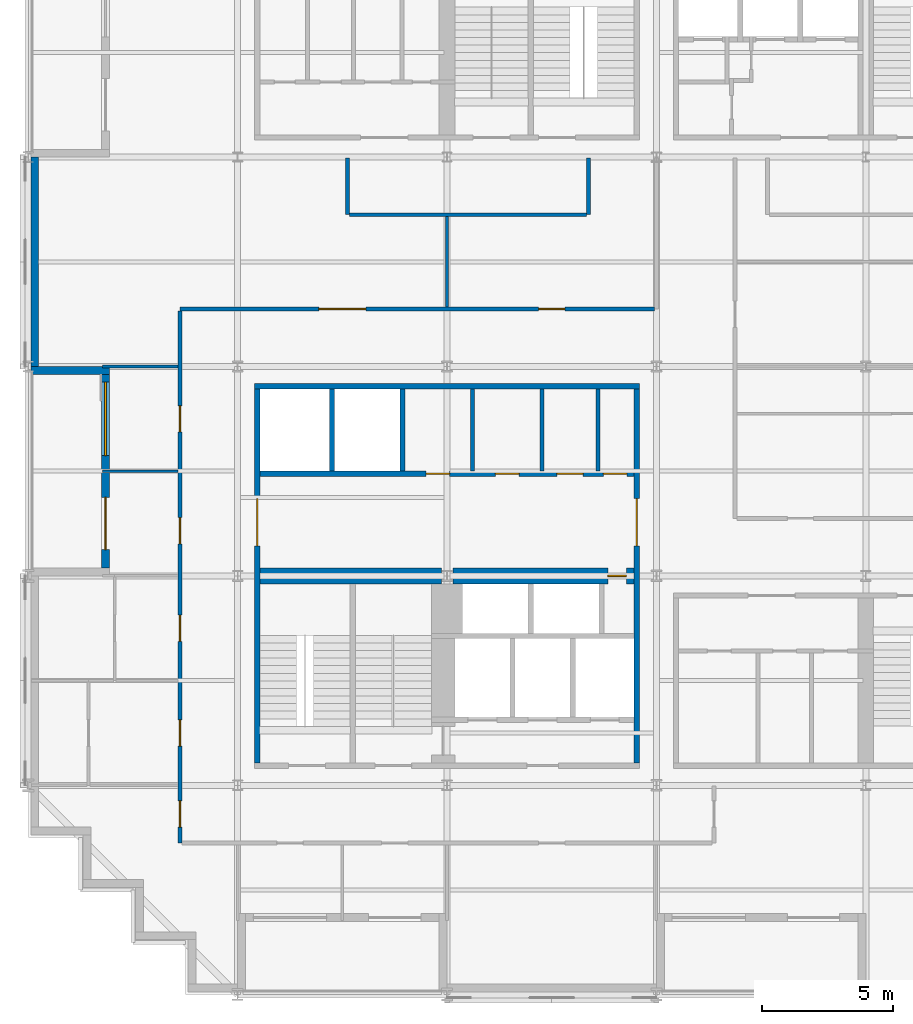
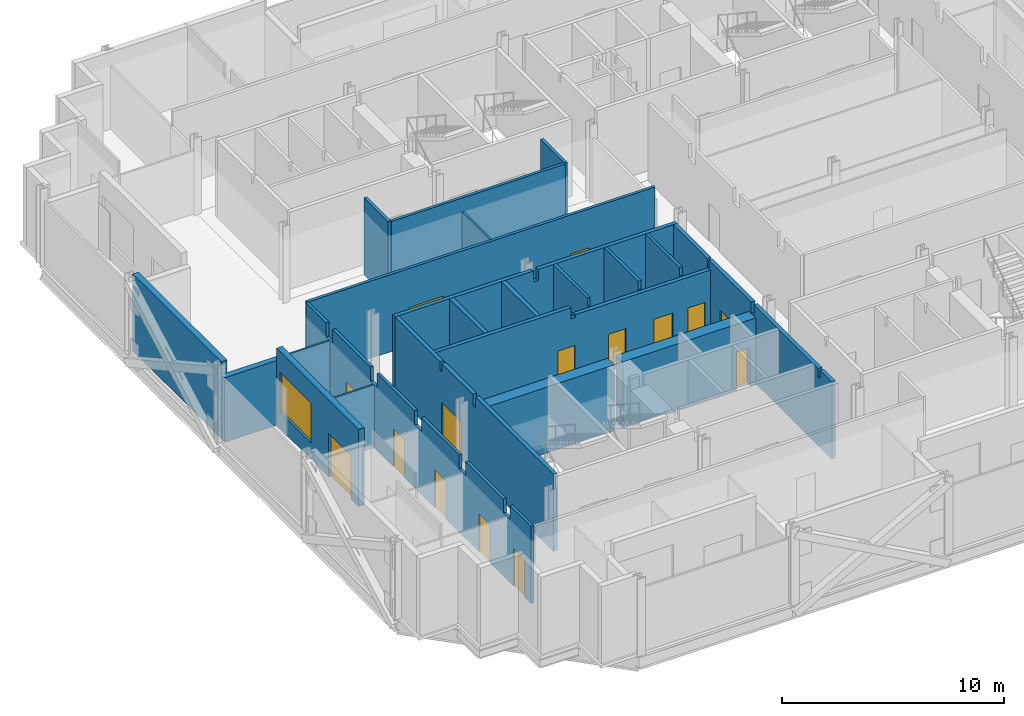
# One storey, part 7 of 14: 22 walls, 15 doors, 1 window, 16 openings.
"""IFC4 building model written with IfcOpenShell, lengths in metres."""

from ifc_helpers import new_model, si_unit, direction, frame, frame_2d, origin, place, context, subcontext, project, spatial, polyline, rectangle, outline, extrude, material, layer, layer_set, type_object, element, fill, save


model = new_model("IFC4")

# Units and contexts
model_context = context("Model", 3, precision=1e-05, world=origin(), true_north=direction((0.0, 1.0)))
body_context = subcontext(model_context, "Body", "Model", "MODEL_VIEW")
ifc_project = project(units=[si_unit("LENGTHUNIT", "METRE"), si_unit("AREAUNIT", "SQUARE_METRE"), si_unit("VOLUMEUNIT", "CUBIC_METRE"), si_unit("PLANEANGLEUNIT", "RADIAN"), si_unit("MASSUNIT", "GRAM", prefix="KILO")], contexts=[model_context])

# Site, building, storey
site_placement = place(None, origin())
site = spatial("IfcSite", under=ifc_project, at=site_placement, CompositionType="ELEMENT")
building_placement = place(site_placement, origin())
building = spatial("IfcBuilding", under=site, at=building_placement, Name="Immortelle Media Tower", CompositionType="ELEMENT")
storey_placement = place(building_placement, frame((0.0, 0.0, 96.39990234375)))
storey = spatial("IfcBuildingStorey", under=building, at=storey_placement, Name="L18", CompositionType="ELEMENT", Elevation=96.39990234375)

# Wall, opening, door
ifc_material_1 = material(Name="Fire-rated masonry blockwork", Category="masonry")
ifc_layer_1 = layer(ifc_material_1, 0.60009765625)
ifc_layer_set_1 = layer_set([ifc_layer_1], Name="Fire-rated masonry blockwork")
wall_type_1 = type_object("IfcWallType", Name="Core grid-line wall 600", PredefinedType="PARTITIONING", material=ifc_layer_set_1)
wall_1_placement = place(storey_placement, frame((16.218505859375, 16.0, 0.0), z_axis=(0.0, 0.0, 1.0), x_axis=(1.0, 0.0, 0.0)))
wall_1 = element("IfcWall", 1, at=wall_1_placement, inside=storey, type_object=wall_type_1, Name="Core grid-line wall SW", PredefinedType="PARTITIONING", context=body_context, shape_type="SweptSolid", body=[
    extrude(rectangle(XDim=6.931396484375, YDim=0.60009765625, at=frame_2d((3.4658203125, 0.0))), origin(), (0.0, 0.0, 1.0), 3.632080078125),
])
opening_1_placement = place(wall_1_placement, frame((6.63134765625, 0.0, 0.0), z_axis=(0.0, 0.0, 1.0), x_axis=(-1.0, 0.0, 0.0)))
opening_1 = element("IfcOpeningElement", 2, at=opening_1_placement, cuts=wall_1, Name="Opening N6-K013", PredefinedType="OPENING", context=body_context, shape_type="SweptSolid", body=[
    extrude(rectangle(XDim=0.699951171875, YDim=2.10009765625, at=frame_2d((0.35009765625, 1.050048828125))), frame((0.0, 0.31005859375, 0.0), z_axis=(0.0, -1.0, 0.0), x_axis=(1.0, 0.0, 0.0)), (0.0, 0.0, 1.0), 0.6201171875),
])
ifc_material_2 = material(Name="Galvanised steel door leaf and frame ASTM A653", Category="steel")
door_type_1 = type_object("IfcDoorType", Name="Service door 700 x 2100", OperationType="NOTDEFINED", PredefinedType="NOTDEFINED", material=ifc_material_2)
door_1_placement = place(opening_1_placement, origin())
door_1 = element("IfcDoor", 3, at=door_1_placement, inside=storey, type_object=door_type_1, Name="Service N6-K013", OperationType="SINGLE_SWING_RIGHT", OverallHeight=2.10009765625, OverallWidth=0.699951171875, PredefinedType="NOTDEFINED", context=body_context, shape_type="SweptSolid", body=[
    extrude(rectangle(XDim=0.699951171875, YDim=2.10009765625, at=frame_2d((0.35009765625, 1.050048828125))), frame((0.0, 0.02490234375, 0.0), z_axis=(0.0, -1.0, 0.0), x_axis=(1.0, 0.0, 0.0)), (0.0, 0.0, 1.0), 0.050048828125),
])
fill(opening_1, door_1)

# Walls
ifc_material_3 = material(Name="Fire-rated gypsum board", Category="gypsum")
ifc_layer_2 = layer(ifc_material_3, 0.02490234375)
ifc_material_4 = material(Name="Steel ASTM A653 SS Gr 50 stud frame with mineral wool", Category="steel")
ifc_layer_3 = layer(ifc_material_4, 0.10009765625)
ifc_layer_4 = layer(ifc_material_3, 0.02490234375)
ifc_layer_set_2 = layer_set([ifc_layer_2, ifc_layer_3, ifc_layer_4], Name="Steel ASTM A653 SS Gr 50 stud frame with mineral wool")
wall_type_2 = type_object("IfcWallType", Name="Core partition 150", PredefinedType="PARTITIONING", material=ifc_layer_set_2)
for number, where, z_axis, x_axis, name in (
    (4, (16.97509765625, 20.0, 0.0), (0.0, 0.0, 1.0), (0.0, 1.0, 0.0), "Core partition SW"),
    (5, (19.625, 20.0, 0.0), (0.0, 0.0, 1.0), (0.0, 1.0, 0.0), "Core partition SW"),
    (6, (21.77490234375, 20.0, 0.0), (0.0, 0.0, 1.0), (0.0, 1.0, 0.0), "Core partition SW"),
):
    element("IfcWall", number, at=place(storey_placement, frame(where, z_axis=z_axis, x_axis=x_axis)), inside=storey, type_object=wall_type_2, Name=name, PredefinedType="PARTITIONING", context=body_context, shape_type="SweptSolid", body=[
        extrude(outline(polyline([(0.0, 0.0), (3.14990234375, 0.0), (3.14990234375, 4.25), (0.08154296875, 4.25), (0.08056640625, 3.7890625), (0.0, 3.7890625), (0.0, 0.0)])), frame((0.0, 0.074951171875, 0.0), z_axis=(0.0, -1.0, 0.0), x_axis=(1.0, 0.0, 0.0)), (0.0, 0.0, 1.0), 0.14990234375),
    ])
ifc_layer_5 = layer(ifc_material_3, 0.03759765625)
ifc_layer_6 = layer(ifc_material_4, 0.125)
ifc_layer_7 = layer(ifc_material_3, 0.03759765625)
ifc_layer_set_3 = layer_set([ifc_layer_5, ifc_layer_6, ifc_layer_7], Name="Steel ASTM A653 SS Gr 50 stud frame with mineral wool")
wall_type_3 = type_object("IfcWallType", Name="Core shaft wall 200", PredefinedType="PARTITIONING", material=ifc_layer_set_3)
wall_2_placement = place(storey_placement, frame((8.64990234375, 23.25, 0.0), z_axis=(0.0, 0.0, 1.0), x_axis=(1.0, 0.0, 0.0)))
element("IfcWall", 7, at=wall_2_placement, inside=storey, type_object=wall_type_3, Name="Core shaft wall SW", PredefinedType="PARTITIONING", context=body_context, shape_type="SweptSolid", body=[
    extrude(outline(polyline([(0.0, 0.0), (14.7001953125, 0.0), (14.699951171875, 4.25), (7.469482421875, 4.25), (7.468505859375, 3.632080078125), (7.2314453125, 3.632080078125), (7.23046875, 4.25), (0.0, 4.25), (0.0, 0.0)])), frame((0.0, 0.10009765625, 0.0), z_axis=(0.0, -1.0, 0.0), x_axis=(1.0, 0.0, 0.0)), (0.0, 0.0, 1.0), 0.199951171875),
])

# Wall, openings, doors
wall_3_placement = place(storey_placement, frame((8.85009765625, 19.89990234375, 0.0), z_axis=(0.0, 0.0, 1.0), x_axis=(1.0, 0.0, 0.0)))
wall_3 = element("IfcWall", 8, at=wall_3_placement, inside=storey, type_object=wall_type_3, Name="Core shaft wall SW", PredefinedType="PARTITIONING", context=body_context, shape_type="SweptSolid", body=[
    extrude(outline(polyline([(0.0, 0.0), (14.2998046875, 0.0), (14.300048828125, 3.7890625), (7.26953125, 3.7890625), (7.2685546875, 3.632080078125), (7.031494140625, 3.632080078125), (7.030517578125, 4.25), (0.0, 4.25), (0.0, 0.0)])), frame((0.0, 0.10009765625, 0.0), z_axis=(0.0, -1.0, 0.0), x_axis=(1.0, 0.0, 0.0)), (0.0, 0.0, 1.0), 0.199951171875),
])
opening_2_placement = place(wall_3_placement, frame((6.35009765625, 0.0, 0.0)))
opening_2 = element("IfcOpeningElement", 9, at=opening_2_placement, cuts=wall_3, Name="Opening N6-K004", PredefinedType="OPENING", context=body_context, shape_type="SweptSolid", body=[
    extrude(rectangle(XDim=0.89990234375, YDim=2.10009765625, at=frame_2d((0.449951171875, 1.050048828125))), frame((0.0, 0.10986328125, 0.0), z_axis=(0.0, -1.0, 0.0), x_axis=(1.0, 0.0, 0.0)), (0.0, 0.0, 1.0), 0.219970703125),
])
opening_3_placement = place(wall_3_placement, frame((9.0, 0.0, 0.0)))
opening_3 = element("IfcOpeningElement", 10, at=opening_3_placement, cuts=wall_3, Name="Opening N6-K007", PredefinedType="OPENING", context=body_context, shape_type="SweptSolid", body=[
    extrude(rectangle(XDim=0.89990234375, YDim=2.10009765625, at=frame_2d((0.449951171875, 1.050048828125))), frame((0.0, 0.10986328125, 0.0), z_axis=(0.0, -1.0, 0.0), x_axis=(1.0, 0.0, 0.0)), (0.0, 0.0, 1.0), 0.219970703125),
])
opening_4_placement = place(wall_3_placement, frame((11.35009765625, 0.0, 0.0)))
opening_4 = element("IfcOpeningElement", 11, at=opening_4_placement, cuts=wall_3, Name="Opening N6-K010", PredefinedType="OPENING", context=body_context, shape_type="SweptSolid", body=[
    extrude(rectangle(XDim=1.0, YDim=2.10009765625, at=frame_2d((0.5, 1.050048828125))), frame((0.0, 0.10986328125, 0.0), z_axis=(0.0, -1.0, 0.0), x_axis=(1.0, 0.0, 0.0)), (0.0, 0.0, 1.0), 0.219970703125),
])
opening_5_placement = place(wall_3_placement, frame((13.125, 0.0, 0.0)))
opening_5 = element("IfcOpeningElement", 12, at=opening_5_placement, cuts=wall_3, Name="Opening N6-K012", PredefinedType="OPENING", context=body_context, shape_type="SweptSolid", body=[
    extrude(rectangle(XDim=0.89990234375, YDim=2.10009765625, at=frame_2d((0.449951171875, 1.050048828125))), frame((0.0, 0.10986328125, 0.0), z_axis=(0.0, -1.0, 0.0), x_axis=(1.0, 0.0, 0.0)), (0.0, 0.0, 1.0), 0.219970703125),
])
ifc_material_5 = material(Name="Timber", Category="wood")
door_type_2 = type_object("IfcDoorType", Name="Accessible toilet door 1000 x 2100", OperationType="NOTDEFINED", PredefinedType="NOTDEFINED", material=ifc_material_5)
door_2_placement = place(opening_4_placement, origin())
door_2 = element("IfcDoor", 13, at=door_2_placement, inside=storey, type_object=door_type_2, Name="Accessible toilet N6-K010", OperationType="SINGLE_SWING_LEFT", OverallHeight=2.10009765625, OverallWidth=1.0, PredefinedType="NOTDEFINED", context=body_context, shape_type="SweptSolid", body=[
    extrude(rectangle(XDim=1.0, YDim=2.10009765625, at=frame_2d((0.5, 1.050048828125))), frame((0.0, 0.02490234375, 0.0), z_axis=(0.0, -1.0, 0.0), x_axis=(1.0, 0.0, 0.0)), (0.0, 0.0, 1.0), 0.050048828125),
])
fill(opening_4, door_2)
door_type_3 = type_object("IfcDoorType", Name="Service door 900 x 2100", OperationType="NOTDEFINED", PredefinedType="NOTDEFINED", material=ifc_material_2)
door_3_placement = place(opening_5_placement, origin())
door_3 = element("IfcDoor", 14, at=door_3_placement, inside=storey, type_object=door_type_3, Name="Service N6-K012", OperationType="SINGLE_SWING_LEFT", OverallHeight=2.10009765625, OverallWidth=0.89990234375, PredefinedType="NOTDEFINED", context=body_context, shape_type="SweptSolid", body=[
    extrude(rectangle(XDim=0.89990234375, YDim=2.10009765625, at=frame_2d((0.449951171875, 1.050048828125))), frame((0.0, 0.02490234375, 0.0), z_axis=(0.0, -1.0, 0.0), x_axis=(1.0, 0.0, 0.0)), (0.0, 0.0, 1.0), 0.050048828125),
])
fill(opening_5, door_3)
door_type_4 = type_object("IfcDoorType", Name="Toilet door 900 x 2100", OperationType="NOTDEFINED", PredefinedType="NOTDEFINED", material=ifc_material_5)
door_4_placement = place(opening_2_placement, origin())
door_4 = element("IfcDoor", 15, at=door_4_placement, inside=storey, type_object=door_type_4, Name="Toilet N6-K004", OperationType="SINGLE_SWING_LEFT", OverallHeight=2.10009765625, OverallWidth=0.89990234375, PredefinedType="NOTDEFINED", context=body_context, shape_type="SweptSolid", body=[
    extrude(rectangle(XDim=0.89990234375, YDim=2.10009765625, at=frame_2d((0.449951171875, 1.050048828125))), frame((0.0, 0.02490234375, 0.0), z_axis=(0.0, -1.0, 0.0), x_axis=(1.0, 0.0, 0.0)), (0.0, 0.0, 1.0), 0.050048828125),
])
fill(opening_2, door_4)
door_5_placement = place(opening_3_placement, origin())
door_5 = element("IfcDoor", 16, at=door_5_placement, inside=storey, type_object=door_type_4, Name="Toilet N6-K007", OperationType="SINGLE_SWING_RIGHT", OverallHeight=2.10009765625, OverallWidth=0.89990234375, PredefinedType="NOTDEFINED", context=body_context, shape_type="SweptSolid", body=[
    extrude(rectangle(XDim=0.89990234375, YDim=2.10009765625, at=frame_2d((0.449951171875, 1.050048828125))), frame((0.0, 0.02490234375, 0.0), z_axis=(0.0, -1.0, 0.0), x_axis=(1.0, 0.0, 0.0)), (0.0, 0.0, 1.0), 0.050048828125),
])
fill(opening_3, door_5)

# Walls
for number, where, z_axis, x_axis, name in (
    (17, (11.60009765625, 20.0, 0.0), (0.0, 0.0, 1.0), (0.0, 1.0, 0.0), "Core shaft wall SW"),
    (18, (14.300048828125, 20.0, 0.0), (0.0, 0.0, 1.0), (0.0, 1.0, 0.0), "Core shaft wall SW"),
):
    element("IfcWall", number, at=place(storey_placement, frame(where, z_axis=z_axis, x_axis=x_axis)), inside=storey, type_object=wall_type_3, Name=name, PredefinedType="PARTITIONING", context=body_context, shape_type="SweptSolid", body=[
        extrude(rectangle(XDim=3.14990234375, YDim=0.199951171875, at=frame_2d((1.574951171875, 0.0))), origin(), (0.0, 0.0, 1.0), 4.25),
    ])

# Wall, opening, door
wall_4_placement = place(storey_placement, frame((23.25, 8.85009765625, 0.0), z_axis=(0.0, 0.0, 1.0), x_axis=(0.0, 1.0, 0.0)))
wall_4 = element("IfcWall", 19, at=wall_4_placement, inside=storey, type_object=wall_type_3, Name="Core shaft wall SW", PredefinedType="PARTITIONING", context=body_context, shape_type="SweptSolid", body=[
    extrude(outline(polyline([(0.0, 0.0), (14.2998046875, 0.0), (14.300048828125, 4.25), (11.2314453125, 4.25), (11.23046875, 3.7890625), (11.069580078125, 3.7890625), (11.068603515625, 4.25), (7.26953125, 4.25), (7.2685546875, 3.632080078125), (7.031494140625, 3.632080078125), (7.030517578125, 4.25), (1.2314453125, 4.25), (1.23046875, 3.7890625), (1.069580078125, 3.7890625), (1.068603515625, 4.25), (0.0, 4.25), (0.0, 0.0)])), frame((0.0, 0.10009765625, 0.0), z_axis=(0.0, -1.0, 0.0), x_axis=(1.0, 0.0, 0.0)), (0.0, 0.0, 1.0), 0.199951171875),
])
opening_6_placement = place(wall_4_placement, frame((8.300048828125, 0.0, 0.0)))
opening_6 = element("IfcOpeningElement", 20, at=opening_6_placement, cuts=wall_4, Name="Opening N6-K014", PredefinedType="OPENING", context=body_context, shape_type="SweptSolid", body=[
    extrude(rectangle(XDim=1.800048828125, YDim=2.10009765625, at=frame_2d((0.89990234375, 1.050048828125))), frame((0.0, 0.10986328125, 0.0), z_axis=(0.0, -1.0, 0.0), x_axis=(1.0, 0.0, 0.0)), (0.0, 0.0, 1.0), 0.219970703125),
])
door_type_5 = type_object("IfcDoorType", Name="Lift lobby door 1800 x 2100", OperationType="DOUBLE_DOOR_SINGLE_SWING", PredefinedType="NOTDEFINED", material=ifc_material_2)
door_6_placement = place(opening_6_placement, origin())
door_6 = element("IfcDoor", 21, at=door_6_placement, inside=storey, type_object=door_type_5, Name="Lift lobby N6-K014", OperationType="DOUBLE_DOOR_SINGLE_SWING", OverallHeight=2.10009765625, OverallWidth=1.800048828125, PredefinedType="NOTDEFINED", context=body_context, shape_type="SweptSolid", body=[
    extrude(rectangle(XDim=1.800048828125, YDim=2.10009765625, at=frame_2d((0.89990234375, 1.050048828125))), frame((0.0, 0.02490234375, 0.0), z_axis=(0.0, -1.0, 0.0), x_axis=(1.0, 0.0, 0.0)), (0.0, 0.0, 1.0), 0.050048828125),
])
fill(opening_6, door_6)

# Wall, openings, doors
ifc_layer_8 = layer(ifc_material_3, 0.012451171875)
ifc_layer_9 = layer(ifc_material_4, 0.125)
ifc_layer_10 = layer(ifc_material_3, 0.012451171875)
ifc_layer_set_4 = layer_set([ifc_layer_8, ifc_layer_9, ifc_layer_10], Name="Steel ASTM A653 SS Gr 50 stud frame with mineral wool")
wall_type_4 = type_object("IfcWallType", Name="Corridor wall 150", PredefinedType="PARTITIONING", material=ifc_layer_set_4)
wall_5_placement = place(storey_placement, frame((5.800048828125, 5.800048828125, 0.0), z_axis=(0.0, 0.0, 1.0), x_axis=(0.0, 1.0, 0.0)))
wall_5 = element("IfcWall", 22, at=wall_5_placement, inside=storey, type_object=wall_type_4, Name="Partition L18-006", PredefinedType="PARTITIONING", context=body_context, shape_type="SweptSolid", body=[
    extrude(outline(polyline([(0.0, 0.0), (20.324951171875, 0.0), (20.324951171875, 4.25), (18.5, 4.25), (18.498046875, 3.47021484375), (17.902099609375, 3.47021484375), (17.89990234375, 4.25), (14.5, 4.25), (14.498046875, 3.47021484375), (13.902099609375, 3.47021484375), (13.89990234375, 4.25), (10.5, 4.25), (10.498046875, 3.47021484375), (9.902099609375, 3.47021484375), (9.89990234375, 4.25), (6.5, 4.25), (6.498046875, 3.47021484375), (5.902099609375, 3.47021484375), (5.89990234375, 4.25), (2.5, 4.25), (2.498046875, 3.47021484375), (1.902099609375, 3.47021484375), (1.89990234375, 4.25), (0.0, 4.25), (0.0, 0.0)])), frame((0.0, 0.074951171875, 0.0), z_axis=(0.0, -1.0, 0.0), x_axis=(1.0, 0.0, 0.0)), (0.0, 0.0, 1.0), 0.14990234375),
])
opening_7_placement = place(wall_5_placement, frame((0.60009765625, 0.0, 0.0)))
opening_7 = element("IfcOpeningElement", 23, at=opening_7_placement, cuts=wall_5, Name="Opening N6-F005", PredefinedType="OPENING", context=body_context, shape_type="SweptSolid", body=[
    extrude(rectangle(XDim=1.0, YDim=2.10009765625, at=frame_2d((0.5, 1.050048828125))), frame((0.0, 0.0849609375, 0.0), z_axis=(0.0, -1.0, 0.0), x_axis=(1.0, 0.0, 0.0)), (0.0, 0.0, 1.0), 0.169921875),
])
opening_8_placement = place(wall_5_placement, frame((3.699951171875, 0.0, 0.0)))
opening_8 = element("IfcOpeningElement", 24, at=opening_8_placement, cuts=wall_5, Name="Opening N6-F006", PredefinedType="OPENING", context=body_context, shape_type="SweptSolid", body=[
    extrude(rectangle(XDim=1.0, YDim=2.10009765625, at=frame_2d((0.5, 1.050048828125))), frame((0.0, 0.0849609375, 0.0), z_axis=(0.0, -1.0, 0.0), x_axis=(1.0, 0.0, 0.0)), (0.0, 0.0, 1.0), 0.169921875),
])
opening_9_placement = place(wall_5_placement, frame((7.699951171875, 0.0, 0.0)))
opening_9 = element("IfcOpeningElement", 25, at=opening_9_placement, cuts=wall_5, Name="Opening N6-F008", PredefinedType="OPENING", context=body_context, shape_type="SweptSolid", body=[
    extrude(rectangle(XDim=1.0, YDim=2.10009765625, at=frame_2d((0.5, 1.050048828125))), frame((0.0, 0.0849609375, 0.0), z_axis=(0.0, -1.0, 0.0), x_axis=(1.0, 0.0, 0.0)), (0.0, 0.0, 1.0), 0.169921875),
])
opening_10_placement = place(wall_5_placement, frame((11.425048828125, 0.0, 0.0)))
opening_10 = element("IfcOpeningElement", 26, at=opening_10_placement, cuts=wall_5, Name="Opening N6-F012", PredefinedType="OPENING", context=body_context, shape_type="SweptSolid", body=[
    extrude(rectangle(XDim=1.0, YDim=2.10009765625, at=frame_2d((0.5, 1.050048828125))), frame((0.0, 0.0849609375, 0.0), z_axis=(0.0, -1.0, 0.0), x_axis=(1.0, 0.0, 0.0)), (0.0, 0.0, 1.0), 0.169921875),
])
opening_11_placement = place(wall_5_placement, frame((15.699951171875, 0.0, 0.0)))
opening_11 = element("IfcOpeningElement", 27, at=opening_11_placement, cuts=wall_5, Name="Opening N6-F013", PredefinedType="OPENING", context=body_context, shape_type="SweptSolid", body=[
    extrude(rectangle(XDim=1.0, YDim=2.10009765625, at=frame_2d((0.5, 1.050048828125))), frame((0.0, 0.0849609375, 0.0), z_axis=(0.0, -1.0, 0.0), x_axis=(1.0, 0.0, 0.0)), (0.0, 0.0, 1.0), 0.169921875),
])
ifc_material_6 = material(Name="Timber veneered door leaf, galvanised steel frame ASTM A653", Category="steel")
door_type_6 = type_object("IfcDoorType", Name="Room door 1000 x 2100", OperationType="NOTDEFINED", PredefinedType="DOOR", material=ifc_material_6)
door_7_placement = place(opening_7_placement, origin())
door_7 = element("IfcDoor", 28, at=door_7_placement, inside=storey, type_object=door_type_6, Name="Door N6-F005", OperationType="SINGLE_SWING_RIGHT", OverallHeight=2.10009765625, OverallWidth=1.0, PredefinedType="DOOR", context=body_context, shape_type="SweptSolid", body=[
    extrude(rectangle(XDim=1.0, YDim=2.10009765625, at=frame_2d((0.5, 1.050048828125))), frame((0.0, 0.02490234375, 0.0), z_axis=(0.0, -1.0, 0.0), x_axis=(1.0, 0.0, 0.0)), (0.0, 0.0, 1.0), 0.050048828125),
])
fill(opening_7, door_7)
door_8_placement = place(opening_8_placement, origin())
door_8 = element("IfcDoor", 29, at=door_8_placement, inside=storey, type_object=door_type_6, Name="Door N6-F006", OperationType="SINGLE_SWING_LEFT", OverallHeight=2.10009765625, OverallWidth=1.0, PredefinedType="DOOR", context=body_context, shape_type="SweptSolid", body=[
    extrude(rectangle(XDim=1.0, YDim=2.10009765625, at=frame_2d((0.5, 1.050048828125))), frame((0.0, 0.02490234375, 0.0), z_axis=(0.0, -1.0, 0.0), x_axis=(1.0, 0.0, 0.0)), (0.0, 0.0, 1.0), 0.050048828125),
])
fill(opening_8, door_8)
door_9_placement = place(opening_9_placement, origin())
door_9 = element("IfcDoor", 30, at=door_9_placement, inside=storey, type_object=door_type_6, Name="Door N6-F008", OperationType="SINGLE_SWING_LEFT", OverallHeight=2.10009765625, OverallWidth=1.0, PredefinedType="DOOR", context=body_context, shape_type="SweptSolid", body=[
    extrude(rectangle(XDim=1.0, YDim=2.10009765625, at=frame_2d((0.5, 1.050048828125))), frame((0.0, 0.02490234375, 0.0), z_axis=(0.0, -1.0, 0.0), x_axis=(1.0, 0.0, 0.0)), (0.0, 0.0, 1.0), 0.050048828125),
])
fill(opening_9, door_9)
door_10_placement = place(opening_10_placement, origin())
door_10 = element("IfcDoor", 31, at=door_10_placement, inside=storey, type_object=door_type_6, Name="Door N6-F012", OperationType="SINGLE_SWING_LEFT", OverallHeight=2.10009765625, OverallWidth=1.0, PredefinedType="DOOR", context=body_context, shape_type="SweptSolid", body=[
    extrude(rectangle(XDim=1.0, YDim=2.10009765625, at=frame_2d((0.5, 1.050048828125))), frame((0.0, 0.02490234375, 0.0), z_axis=(0.0, -1.0, 0.0), x_axis=(1.0, 0.0, 0.0)), (0.0, 0.0, 1.0), 0.050048828125),
])
fill(opening_10, door_10)
door_11_placement = place(opening_11_placement, origin())
door_11 = element("IfcDoor", 32, at=door_11_placement, inside=storey, type_object=door_type_6, Name="Door N6-F013", OperationType="SINGLE_SWING_RIGHT", OverallHeight=2.10009765625, OverallWidth=1.0, PredefinedType="DOOR", context=body_context, shape_type="SweptSolid", body=[
    extrude(rectangle(XDim=1.0, YDim=2.10009765625, at=frame_2d((0.5, 1.050048828125))), frame((0.0, 0.02490234375, 0.0), z_axis=(0.0, -1.0, 0.0), x_axis=(1.0, 0.0, 0.0)), (0.0, 0.0, 1.0), 0.050048828125),
])
fill(opening_11, door_11)

wall_6_placement = place(storey_placement, frame((5.800048828125, 26.199951171875, 0.0), z_axis=(0.0, 0.0, 1.0), x_axis=(1.0, 0.0, 0.0)))
wall_6 = element("IfcWall", 33, at=wall_6_placement, inside=storey, type_object=wall_type_4, Name="Partition L18-031", PredefinedType="PARTITIONING", context=body_context, shape_type="SweptSolid", body=[
    extrude(rectangle(XDim=18.125, YDim=0.14990234375, at=frame_2d((9.0625, 0.0))), origin(), (0.0, 0.0, 1.0), 4.25),
])
opening_12_placement = place(wall_6_placement, frame((13.699951171875, 0.0, 0.0)))
opening_12 = element("IfcOpeningElement", 34, at=opening_12_placement, cuts=wall_6, Name="Opening N6-F021", PredefinedType="OPENING", context=body_context, shape_type="SweptSolid", body=[
    extrude(rectangle(XDim=1.0, YDim=2.10009765625, at=frame_2d((0.5, 1.050048828125))), frame((0.0, 0.0849609375, 0.0), z_axis=(0.0, -1.0, 0.0), x_axis=(1.0, 0.0, 0.0)), (0.0, 0.0, 1.0), 0.169921875),
])
opening_13_placement = place(wall_6_placement, frame((5.300048828125, 0.0, 0.0)))
opening_13 = element("IfcOpeningElement", 35, at=opening_13_placement, cuts=wall_6, Name="Opening N6-F022", PredefinedType="OPENING", context=body_context, shape_type="SweptSolid", body=[
    extrude(rectangle(XDim=1.800048828125, YDim=2.10009765625, at=frame_2d((0.89990234375, 1.050048828125))), frame((0.0, 0.0849609375, 0.0), z_axis=(0.0, -1.0, 0.0), x_axis=(1.0, 0.0, 0.0)), (0.0, 0.0, 1.0), 0.169921875),
])
door_12_placement = place(opening_12_placement, origin())
door_12 = element("IfcDoor", 36, at=door_12_placement, inside=storey, type_object=door_type_6, Name="Door N6-F021", OperationType="SINGLE_SWING_LEFT", OverallHeight=2.10009765625, OverallWidth=1.0, PredefinedType="DOOR", context=body_context, shape_type="SweptSolid", body=[
    extrude(rectangle(XDim=1.0, YDim=2.10009765625, at=frame_2d((0.5, 1.050048828125))), frame((0.0, 0.02490234375, 0.0), z_axis=(0.0, -1.0, 0.0), x_axis=(1.0, 0.0, 0.0)), (0.0, 0.0, 1.0), 0.050048828125),
])
fill(opening_12, door_12)
door_type_7 = type_object("IfcDoorType", Name="Room door 1800 x 2100", OperationType="DOUBLE_DOOR_SINGLE_SWING", PredefinedType="DOOR", material=ifc_material_6)
door_13_placement = place(opening_13_placement, origin())
door_13 = element("IfcDoor", 37, at=door_13_placement, inside=storey, type_object=door_type_7, Name="Door N6-F022", OperationType="DOUBLE_DOOR_SINGLE_SWING", OverallHeight=2.10009765625, OverallWidth=1.800048828125, PredefinedType="DOOR", context=body_context, shape_type="SweptSolid", body=[
    extrude(rectangle(XDim=1.800048828125, YDim=2.10009765625, at=frame_2d((0.89990234375, 1.050048828125))), frame((0.0, 0.02490234375, 0.0), z_axis=(0.0, -1.0, 0.0), x_axis=(1.0, 0.0, 0.0)), (0.0, 0.0, 1.0), 0.050048828125),
])
fill(opening_13, door_13)

# Walls
wall_7_placement = place(storey_placement, frame((12.27490234375, 29.800048828125, 0.0), z_axis=(0.0, 0.0, 1.0), x_axis=(1.0, 0.0, 0.0)))
element("IfcWall", 38, at=wall_7_placement, inside=storey, type_object=wall_type_4, Name="Partition L18-035", PredefinedType="PARTITIONING", context=body_context, shape_type="SweptSolid", body=[
    extrude(rectangle(XDim=9.050048828125, YDim=0.14990234375, at=frame_2d((4.52490234375, 0.0))), origin(), (0.0, 0.0, 1.0), 4.25),
])
for number, where, z_axis, x_axis, name in (
    (39, (12.199951171875, 29.800048828125, 0.0), (0.0, 0.0, 1.0), (0.0, 1.0, 0.0), "Partition L18-036"),
    (40, (21.39990234375, 29.800048828125, 0.0), (0.0, 0.0, 1.0), (0.0, 1.0, 0.0), "Partition L18-037"),
):
    element("IfcWall", number, at=place(storey_placement, frame(where, z_axis=z_axis, x_axis=x_axis)), inside=storey, type_object=wall_type_4, Name=name, PredefinedType="PARTITIONING", context=body_context, shape_type="SweptSolid", body=[
        extrude(rectangle(XDim=2.169921875, YDim=0.14990234375, at=frame_2d((1.0849609375, 0.0))), origin(), (0.0, 0.0, 1.0), 4.25),
    ])
ifc_material_7 = material(Name="Pale aluminium cladding panel", Category="aluminium")
ifc_layer_11 = layer(ifc_material_7, 0.030029296875)
ifc_layer_12 = layer(ifc_material_4, 0.257568359375)
ifc_material_8 = material(Name="Moisture-resistant gypsum board", Category="gypsum")
ifc_layer_13 = layer(ifc_material_8, 0.012451171875)
ifc_layer_set_5 = layer_set([ifc_layer_11, ifc_layer_12, ifc_layer_13], Name="Steel ASTM A653 SS Gr 50 stud frame with mineral wool")
wall_type_5 = type_object("IfcWallType", Name="Facade wall 300", PredefinedType="SOLIDWALL", material=ifc_layer_set_5)
wall_8_placement = place(storey_placement, frame((0.25, 32.0, 0.0), z_axis=(0.0, 0.0, 1.0), x_axis=(0.0, -1.0, 0.0)))
element("IfcWall", 41, at=wall_8_placement, inside=storey, type_object=wall_type_5, Name="Facade wall L18 W0", PredefinedType="SOLIDWALL", context=body_context, shape_type="SweptSolid", body=[
    extrude(rectangle(XDim=8.0, YDim=0.300048828125, at=frame_2d((4.0, 0.0))), origin(), (0.0, 0.0, 1.0), 4.25),
])

# Wall, openings, door, window
wall_9_placement = place(storey_placement, frame((2.949951171875, 23.699951171875, 0.0), z_axis=(0.0, 0.0, 1.0), x_axis=(0.0, -1.0, 0.0)))
wall_9 = element("IfcWall", 42, at=wall_9_placement, inside=storey, type_object=wall_type_5, Name="Loggia wall L18 W0", PredefinedType="SOLIDWALL", context=body_context, shape_type="SweptSolid", body=[
    extrude(rectangle(XDim=7.39990234375, YDim=0.300048828125, at=frame_2d((3.699951171875, 0.0))), origin(), (0.0, 0.0, 1.0), 4.25),
])
opening_14_placement = place(wall_9_placement, frame((0.300048828125, 0.0, 0.89990234375)))
opening_14 = element("IfcOpeningElement", 43, at=opening_14_placement, cuts=wall_9, Name="Opening W1", PredefinedType="OPENING", context=body_context, shape_type="SweptSolid", body=[
    extrude(rectangle(XDim=2.800048828125, YDim=2.199951171875, at=frame_2d((1.39990234375, 1.10009765625))), frame((0.0, 0.159912109375, 0.0), z_axis=(0.0, -1.0, 0.0), x_axis=(1.0, 0.0, 0.0)), (0.0, 0.0, 1.0), 0.320068359375),
])
opening_15_placement = place(wall_9_placement, frame((4.699951171875, 0.0, 0.0)))
opening_15 = element("IfcOpeningElement", 44, at=opening_15_placement, cuts=wall_9, Name="Opening N6-E002", PredefinedType="OPENING", context=body_context, shape_type="SweptSolid", body=[
    extrude(rectangle(XDim=2.0, YDim=2.39990234375, at=frame_2d((1.0, 1.199951171875))), frame((0.0, 0.159912109375, 0.0), z_axis=(0.0, -1.0, 0.0), x_axis=(1.0, 0.0, 0.0)), (0.0, 0.0, 1.0), 0.320068359375),
])
ifc_material_9 = material(Name="Aluminium frame, glazed leaves", Category="aluminium")
door_type_8 = type_object("IfcDoorType", Name="Loggia door 2000 x 2400", OperationType="DOUBLE_DOOR_SINGLE_SWING", PredefinedType="DOOR", material=ifc_material_9)
door_14_placement = place(opening_15_placement, origin())
door_14 = element("IfcDoor", 45, at=door_14_placement, inside=storey, type_object=door_type_8, Name="Door N6-E002", OperationType="DOUBLE_DOOR_SINGLE_SWING", OverallHeight=2.39990234375, OverallWidth=2.0, PredefinedType="DOOR", context=body_context, shape_type="SweptSolid", body=[
    extrude(rectangle(XDim=2.0, YDim=2.39990234375, at=frame_2d((1.0, 1.199951171875))), frame((0.0, 0.02490234375, 0.0), z_axis=(0.0, -1.0, 0.0), x_axis=(1.0, 0.0, 0.0)), (0.0, 0.0, 1.0), 0.050048828125),
])
fill(opening_15, door_14)
ifc_material_10 = material(Name="Aluminium frame", Category="aluminium")
window_type = type_object("IfcWindowType", Name="Window 2800 x 2200", PartitioningType="SINGLE_PANEL", PredefinedType="WINDOW", material=ifc_material_10)
window_placement = place(opening_14_placement, origin())
window = element("IfcWindow", 46, at=window_placement, inside=storey, type_object=window_type, Name="Window L18 L18-R0-B2", OverallHeight=2.199951171875, OverallWidth=2.800048828125, PartitioningType="SINGLE_PANEL", PredefinedType="WINDOW", context=body_context, shape_type="SweptSolid", body=[
    extrude(rectangle(XDim=2.800048828125, YDim=2.199951171875, at=frame_2d((1.39990234375, 1.10009765625))), frame((0.0, 0.030029296875, 0.0), z_axis=(0.0, -1.0, 0.0), x_axis=(1.0, 0.0, 0.0)), (0.0, 0.0, 1.0), 0.06005859375),
])
fill(opening_14, window)

# Walls
wall_10_placement = place(storey_placement, frame((0.10009765625, 23.85009765625, 0.0), z_axis=(0.0, 0.0, 1.0), x_axis=(1.0, 0.0, 0.0)))
element("IfcWall", 47, at=wall_10_placement, inside=storey, type_object=wall_type_5, Name="Loggia cheek wall L18 W", PredefinedType="SOLIDWALL", context=body_context, shape_type="SweptSolid", body=[
    extrude(rectangle(XDim=3.0, YDim=0.300048828125, at=frame_2d((1.5, 0.0))), origin(), (0.0, 0.0, 1.0), 3.55615234375),
])
ifc_material_11 = material(Name="Gypsum board", Category="gypsum")
ifc_layer_14 = layer(ifc_material_11, 0.012451171875)
ifc_layer_15 = layer(ifc_material_4, 0.074951171875)
ifc_layer_16 = layer(ifc_material_11, 0.012451171875)
ifc_layer_set_6 = layer_set([ifc_layer_14, ifc_layer_15, ifc_layer_16], Name="Steel ASTM A653 SS Gr 50 stud frame with mineral wool")
wall_type_6 = type_object("IfcWallType", Name="Partition 100", PredefinedType="PARTITIONING", material=ifc_layer_set_6)
for number, where, z_axis, x_axis, name in (
    (48, (2.830078125, 20.0, 0.0), (0.0, 0.0, 1.0), (1.0, 0.0, 0.0), "Partition L18-025"),
    (49, (2.830078125, 24.0, 0.0), (0.0, 0.0, 1.0), (1.0, 0.0, 0.0), "Partition L18-028"),
):
    element("IfcWall", number, at=place(storey_placement, frame(where, z_axis=z_axis, x_axis=x_axis)), inside=storey, type_object=wall_type_6, Name=name, PredefinedType="PARTITIONING", context=body_context, shape_type="SweptSolid", body=[
        extrude(rectangle(XDim=2.89501953125, YDim=0.10009765625, at=frame_2d((1.447509765625, 0.0))), origin(), (0.0, 0.0, 1.0), 3.47021484375),
    ])
wall_11_placement = place(storey_placement, frame((16.0, 26.27490234375, 0.0), z_axis=(0.0, 0.0, 1.0), x_axis=(0.0, 1.0, 0.0)))
element("IfcWall", 50, at=wall_11_placement, inside=storey, type_object=wall_type_6, Name="Partition L18-032", PredefinedType="PARTITIONING", context=body_context, shape_type="SweptSolid", body=[
    extrude(rectangle(XDim=3.4501953125, YDim=0.10009765625, at=frame_2d((1.72509765625, 0.0))), origin(), (0.0, 0.0, 1.0), 3.47021484375),
])

# Wall, opening, door
ifc_material_12 = material(Name="Concrete C60", Category="concrete")
ifc_layer_17 = layer(ifc_material_12, 0.199951171875)
ifc_layer_set_7 = layer_set([ifc_layer_17], Name="Concrete C60")
wall_type_7 = type_object("IfcWallType", Name="Stair shaft wall 200", PredefinedType="PARTITIONING", material=ifc_layer_set_7)
wall_12_placement = place(storey_placement, frame((8.75, 8.85009765625, 0.0), z_axis=(0.0, 0.0, 1.0), x_axis=(0.0, 1.0, 0.0)))
wall_12 = element("IfcWall", 51, at=wall_12_placement, inside=storey, type_object=wall_type_7, Name="Stair shaft wall SW", PredefinedType="PARTITIONING", context=body_context, shape_type="SweptSolid", body=[
    extrude(outline(polyline([(0.0, 0.0), (14.2998046875, 0.0), (14.300048828125, 4.25), (10.2314453125, 4.25), (10.23046875, 3.7890625), (10.069580078125, 3.7890625), (10.068603515625, 4.25), (7.26953125, 4.25), (7.2685546875, 3.632080078125), (7.031494140625, 3.632080078125), (7.030517578125, 4.25), (0.0, 4.25), (0.0, 0.0)])), frame((0.0, 0.10009765625, 0.0), z_axis=(0.0, -1.0, 0.0), x_axis=(1.0, 0.0, 0.0)), (0.0, 0.0, 1.0), 0.199951171875),
])
opening_16_placement = place(wall_12_placement, frame((8.300048828125, 0.0, 0.0)))
opening_16 = element("IfcOpeningElement", 52, at=opening_16_placement, cuts=wall_12, Name="Opening N6-K001", PredefinedType="OPENING", context=body_context, shape_type="SweptSolid", body=[
    extrude(rectangle(XDim=1.800048828125, YDim=2.10009765625, at=frame_2d((0.89990234375, 1.050048828125))), frame((0.0, 0.10986328125, 0.0), z_axis=(0.0, -1.0, 0.0), x_axis=(1.0, 0.0, 0.0)), (0.0, 0.0, 1.0), 0.219970703125),
])
door_15_placement = place(opening_16_placement, origin())
door_15 = element("IfcDoor", 53, at=door_15_placement, inside=storey, type_object=door_type_5, Name="Lift lobby N6-K001", OperationType="DOUBLE_DOOR_SINGLE_SWING", OverallHeight=2.10009765625, OverallWidth=1.800048828125, PredefinedType="NOTDEFINED", context=body_context, shape_type="SweptSolid", body=[
    extrude(rectangle(XDim=1.800048828125, YDim=2.10009765625, at=frame_2d((0.89990234375, 1.050048828125))), frame((0.0, 0.02490234375, 0.0), z_axis=(0.0, -1.0, 0.0), x_axis=(1.0, 0.0, 0.0)), (0.0, 0.0, 1.0), 0.050048828125),
])
fill(opening_16, door_15)

# Wall
ifc_layer_18 = layer(ifc_material_12, 0.60009765625)
ifc_layer_set_8 = layer_set([ifc_layer_18], Name="Concrete C60")
wall_type_8 = type_object("IfcWallType", Name="Stair shaft wall 600", PredefinedType="PARTITIONING", material=ifc_layer_set_8)
wall_13_placement = place(storey_placement, frame((8.85009765625, 16.0, 0.0), z_axis=(0.0, 0.0, 1.0), x_axis=(1.0, 0.0, 0.0)))
element("IfcWall", 54, at=wall_13_placement, inside=storey, type_object=wall_type_8, Name="Stair shaft wall SW", PredefinedType="PARTITIONING", context=body_context, shape_type="SweptSolid", body=[
    extrude(rectangle(XDim=6.931396484375, YDim=0.60009765625, at=frame_2d((3.4658203125, 0.0))), origin(), (0.0, 0.0, 1.0), 3.632080078125),
])

save(model, "model.ifc")
